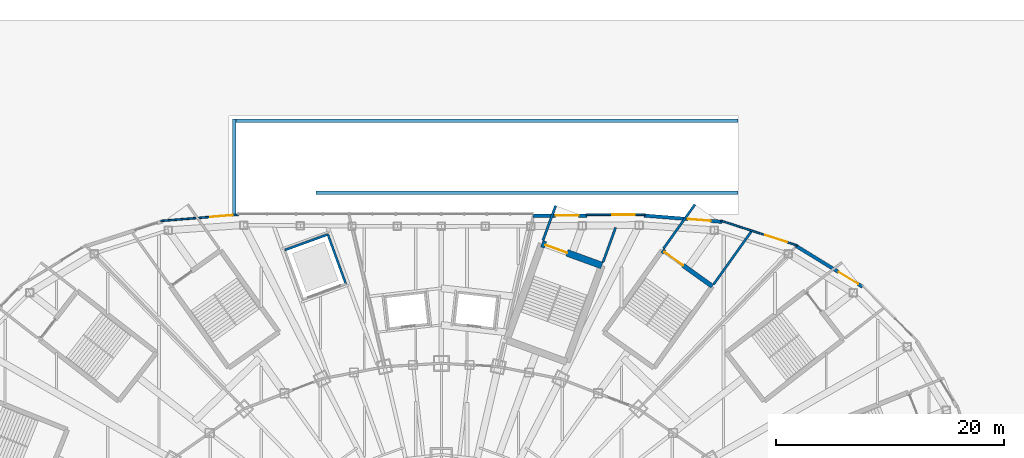
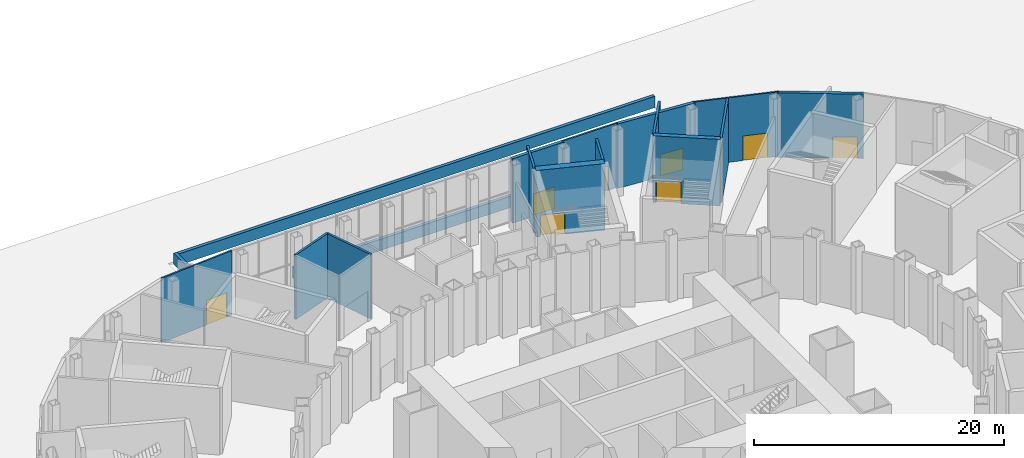
# One storey, part 22 of 47: 17 walls, 8 doors, 8 openings.
"""IFC4 building model written with IfcOpenShell, lengths in metres."""

from ifc_helpers import new_model, si_unit, direction, frame, frame_2d, origin, place, context, subcontext, project, spatial, rectangle, extrude, material, layer, layer_set, type_object, element, fill, save


model = new_model("IFC4")

# Units and contexts
model_context = context("Model", 3, precision=1e-05, world=origin(), true_north=direction((0.0, 1.0)))
body_context = subcontext(model_context, "Body", "Model", "MODEL_VIEW")
ifc_project = project(units=[si_unit("LENGTHUNIT", "METRE"), si_unit("AREAUNIT", "SQUARE_METRE"), si_unit("VOLUMEUNIT", "CUBIC_METRE"), si_unit("PLANEANGLEUNIT", "RADIAN"), si_unit("MASSUNIT", "GRAM", prefix="KILO")], contexts=[model_context])

# Site, building, storey
site_placement = place(None, origin())
site = spatial("IfcSite", under=ifc_project, at=site_placement, CompositionType="ELEMENT")
building_placement = place(site_placement, origin())
building = spatial("IfcBuilding", under=site, at=building_placement, Name="Lantaw Convention Tower", CompositionType="ELEMENT")
storey_placement = place(building_placement, origin())
storey = spatial("IfcBuildingStorey", under=building, at=storey_placement, Name="L00", CompositionType="ELEMENT", Elevation=0.0)

# Walls
ifc_material_1 = material(Name="Concrete blockwork, fire rated", Category="masonry")
ifc_layer_1 = layer(ifc_material_1, 0.199951171875)
ifc_layer_set_1 = layer_set([ifc_layer_1], Name="Exit vestibule wall 200 EI 120")
wall_type_1 = type_object("IfcWallType", Name="Exit vestibule wall 200 EI 120", PredefinedType="SOLIDWALL", material=ifc_layer_set_1)
wall_1_placement = place(storey_placement, frame((23.87353515625, 28.81982421875, 0.0), z_axis=(0.0, 0.0, 1.0), x_axis=(0.580713086154, 0.814108292287, 0.0)))
element("IfcWall", 1, at=wall_1_placement, inside=storey, type_object=wall_type_1, Name="Exit vestibule wall 200", PredefinedType="SOLIDWALL", context=body_context, shape_type="SweptSolid", body=[
    extrude(rectangle(XDim=5.6748046875, YDim=0.199951171875, at=frame_2d((2.83740234375, 0.0))), origin(), (0.0, 0.0, 1.0), 6.300048828125),
])
wall_2_placement = place(storey_placement, frame((19.477294921875, 31.95556640625, 0.0), z_axis=(0.0, 0.0, 1.0), x_axis=(0.580683804281, 0.814129178599, 0.0)))
element("IfcWall", 2, at=wall_2_placement, inside=storey, type_object=wall_type_1, Name="Exit vestibule wall 200", PredefinedType="SOLIDWALL", context=body_context, shape_type="SweptSolid", body=[
    extrude(rectangle(XDim=4.75, YDim=0.199951171875, at=frame_2d((2.375, 0.0))), origin(), (0.0, 0.0, 1.0), 6.300048828125),
])
for number, where, z_axis, x_axis, name in (
    (3, (14.173095703125, 30.75341796875, 0.0), (0.0, 0.0, 1.0), (0.342026533871, 0.939690294793, 0.0), "Exit vestibule wall 200"),
    (4, (8.91064453125, 32.668701171875, 0.0), (0.0, 0.0, 1.0), (0.342026533871, 0.939690294793, 0.0), "Exit vestibule wall 200"),
):
    element("IfcWall", number, at=place(storey_placement, frame(where, z_axis=z_axis, x_axis=x_axis)), inside=storey, type_object=wall_type_1, Name=name, PredefinedType="SOLIDWALL", context=body_context, shape_type="SweptSolid", body=[
        extrude(rectangle(XDim=3.25, YDim=0.199951171875, at=frame_2d((1.625, 0.0))), origin(), (0.0, 0.0, 1.0), 6.300048828125),
    ])

# Wall, opening, door
ifc_material_2 = material(Name="Aluminium framed glazing", Category="aluminium")
ifc_layer_2 = layer(ifc_material_2, 0.14990234375)
ifc_layer_set_2 = layer_set([ifc_layer_2], Name="Glazed entrance screen 150")
wall_type_2 = type_object("IfcWallType", Name="Glazed entrance screen 150", PredefinedType="ELEMENTEDWALL", material=ifc_layer_set_2)
wall_3_placement = place(storey_placement, frame((31.215087890625, 32.22509765625, 0.0), z_axis=(0.0, 0.0, 1.0), x_axis=(-0.951133133407, 0.308781091609, 0.0)))
wall_3 = element("IfcWall", 5, at=wall_3_placement, inside=storey, type_object=wall_type_2, Name="Glazed entrance screen", PredefinedType="ELEMENTEDWALL", context=body_context, shape_type="SweptSolid", body=[
    extrude(rectangle(XDim=7.04150390625, YDim=0.14990234375, at=frame_2d((3.520751953125, 0.0))), origin(), (0.0, 0.0, 1.0), 6.300048828125),
])
opening_1_placement = place(wall_3_placement, frame((0.949951171875, 0.0, 0.0)))
opening_1 = element("IfcOpeningElement", 6, at=opening_1_placement, cuts=wall_3, Name="Opening L00.X06", PredefinedType="OPENING", context=body_context, shape_type="SweptSolid", body=[
    extrude(rectangle(XDim=2.0, YDim=2.39990234375, at=frame_2d((1.0, 1.199951171875))), frame((0.0, 0.0849609375, 0.0), z_axis=(0.0, -1.0, 0.0), x_axis=(1.0, 0.0, 0.0)), (0.0, 0.0, 1.0), 0.169921875),
])
ifc_material_3 = material(Name="Aluminium and glass", Category="aluminium")
door_type_1 = type_object("IfcDoorType", Name="Entrance double door 2000", OperationType="DOUBLE_DOOR_DOUBLE_SWING", PredefinedType="DOOR", material=ifc_material_3)
door_1_placement = place(opening_1_placement, origin())
door_1 = element("IfcDoor", 7, at=door_1_placement, inside=storey, type_object=door_type_1, Name="Entrance", OperationType="DOUBLE_DOOR_DOUBLE_SWING", OverallHeight=2.39990234375, OverallWidth=2.0, PredefinedType="DOOR", context=body_context, shape_type="SweptSolid", body=[
    extrude(rectangle(XDim=2.0, YDim=2.39990234375, at=frame_2d((1.0, 1.199951171875))), frame((0.0, 0.02490234375, 0.0), z_axis=(0.0, -1.0, 0.0), x_axis=(1.0, 0.0, 0.0)), (0.0, 0.0, 1.0), 0.050048828125),
])
fill(opening_1, door_1)

wall_4_placement = place(storey_placement, frame((17.873291015625, 34.925048828125, 0.0), z_axis=(0.0, 0.0, 1.0), x_axis=(-1.0, 0.0, 0.0)))
wall_4 = element("IfcWall", 8, at=wall_4_placement, inside=storey, type_object=wall_type_2, Name="Glazed entrance screen", PredefinedType="ELEMENTEDWALL", context=body_context, shape_type="SweptSolid", body=[
    extrude(rectangle(XDim=5.17431640625, YDim=0.14990234375, at=frame_2d((2.587158203125, 0.0))), origin(), (0.0, 0.0, 1.0), 6.300048828125),
])
opening_2_placement = place(wall_4_placement, frame((0.89990234375, 0.0, 0.0)))
opening_2 = element("IfcOpeningElement", 9, at=opening_2_placement, cuts=wall_4, Name="Opening L00.X08", PredefinedType="OPENING", context=body_context, shape_type="SweptSolid", body=[
    extrude(rectangle(XDim=2.0, YDim=2.39990234375, at=frame_2d((1.0, 1.199951171875))), frame((0.0, 0.0849609375, 0.0), z_axis=(0.0, -1.0, 0.0), x_axis=(1.0, 0.0, 0.0)), (0.0, 0.0, 1.0), 0.169921875),
])
door_2_placement = place(opening_2_placement, origin())
door_2 = element("IfcDoor", 10, at=door_2_placement, inside=storey, type_object=door_type_1, Name="Entrance", OperationType="DOUBLE_DOOR_DOUBLE_SWING", OverallHeight=2.39990234375, OverallWidth=2.0, PredefinedType="DOOR", context=body_context, shape_type="SweptSolid", body=[
    extrude(rectangle(XDim=2.0, YDim=2.39990234375, at=frame_2d((1.0, 1.199951171875))), frame((0.0, 0.02490234375, 0.0), z_axis=(0.0, -1.0, 0.0), x_axis=(1.0, 0.0, 0.0)), (0.0, 0.0, 1.0), 0.050048828125),
])
fill(opening_2, door_2)

wall_5_placement = place(storey_placement, frame((-17.78759765625, 34.928466796875, 0.0), z_axis=(0.0, 0.0, 1.0), x_axis=(-0.996791084449, -0.080047073422, 0.0)))
wall_5 = element("IfcWall", 11, at=wall_5_placement, inside=storey, type_object=wall_type_2, Name="Glazed entrance screen", PredefinedType="ELEMENTEDWALL", context=body_context, shape_type="SweptSolid", body=[
    extrude(rectangle(XDim=6.84716796875, YDim=0.14990234375, at=frame_2d((3.423583984375, 0.0))), origin(), (0.0, 0.0, 1.0), 6.300048828125),
])
opening_3_placement = place(wall_5_placement, frame((0.5, 0.0, 0.0)))
opening_3 = element("IfcOpeningElement", 12, at=opening_3_placement, cuts=wall_5, Name="Opening L00.X16", PredefinedType="OPENING", context=body_context, shape_type="SweptSolid", body=[
    extrude(rectangle(XDim=2.0, YDim=2.39990234375, at=frame_2d((1.0, 1.199951171875))), frame((0.0, 0.0849609375, 0.0), z_axis=(0.0, -1.0, 0.0), x_axis=(1.0, 0.0, 0.0)), (0.0, 0.0, 1.0), 0.169921875),
])
door_3_placement = place(opening_3_placement, origin())
door_3 = element("IfcDoor", 13, at=door_3_placement, inside=storey, type_object=door_type_1, Name="Entrance", OperationType="DOUBLE_DOOR_DOUBLE_SWING", OverallHeight=2.39990234375, OverallWidth=2.0, PredefinedType="DOOR", context=body_context, shape_type="SweptSolid", body=[
    extrude(rectangle(XDim=2.0, YDim=2.39990234375, at=frame_2d((1.0, 1.199951171875))), frame((0.0, 0.02490234375, 0.0), z_axis=(0.0, -1.0, 0.0), x_axis=(1.0, 0.0, 0.0)), (0.0, 0.0, 1.0), 0.050048828125),
])
fill(opening_3, door_3)

# Walls
ifc_layer_3 = layer(ifc_material_1, 0.199951171875)
ifc_layer_set_3 = layer_set([ifc_layer_3], Name="Lift shaft wall 200 EI 120")
wall_type_3 = type_object("IfcWallType", Name="Lift shaft wall 200 EI 120", PredefinedType="SOLIDWALL", material=ifc_layer_set_3)
wall_6_placement = place(storey_placement, frame((-8.381103515625, 28.874755859375, 0.0), z_axis=(0.0, 0.0, 1.0), x_axis=(-0.342045591466, 0.93968335803, 0.0)))
element("IfcWall", 14, at=wall_6_placement, inside=storey, type_object=wall_type_3, Name="Lift shaft wall", PredefinedType="SOLIDWALL", context=body_context, shape_type="SweptSolid", body=[
    extrude(rectangle(XDim=4.600341796875, YDim=0.199951171875, at=frame_2d((2.30029296875, 0.0))), origin(), (0.0, 0.0, 1.0), 6.300048828125),
])
wall_7_placement = place(storey_placement, frame((-9.95458984375, 33.197509765625, 0.0), z_axis=(0.0, 0.0, 1.0), x_axis=(-0.939686455819, -0.342037080957, 0.0)))
element("IfcWall", 15, at=wall_7_placement, inside=storey, type_object=wall_type_3, Name="Lift shaft wall", PredefinedType="SOLIDWALL", context=body_context, shape_type="SweptSolid", body=[
    extrude(rectangle(XDim=4.0, YDim=0.199951171875, at=frame_2d((2.0, 0.0))), origin(), (0.0, 0.0, 1.0), 6.300048828125),
])

# Wall, opening, door
ifc_material_4 = material(Name="Precast concrete panel, pale aluminium rainscreen", Category="concrete")
ifc_layer_4 = layer(ifc_material_4, 0.300048828125)
ifc_layer_set_4 = layer_set([ifc_layer_4], Name="Podium external wall 300")
wall_type_4 = type_object("IfcWallType", Name="Podium external wall 300", PredefinedType="SOLIDWALL", material=ifc_layer_set_4)
wall_8_placement = place(storey_placement, frame((36.931640625, 28.60791015625, 0.0), z_axis=(0.0, 0.0, 1.0), x_axis=(-0.851808565246, 0.52385319334, 0.0)))
wall_8 = element("IfcWall", 16, at=wall_8_placement, inside=storey, type_object=wall_type_4, Name="Podium facade wall", PredefinedType="SOLIDWALL", context=body_context, shape_type="SweptSolid", body=[
    extrude(rectangle(XDim=6.860595703125, YDim=0.300048828125, at=frame_2d((3.43017578125, 0.0))), origin(), (0.0, 0.0, 1.0), 6.300048828125),
])
opening_4_placement = place(wall_8_placement, frame((0.449951171875, 0.0, 0.0)))
opening_4 = element("IfcOpeningElement", 17, at=opening_4_placement, cuts=wall_8, Name="Opening L00.X05", PredefinedType="OPENING", context=body_context, shape_type="SweptSolid", body=[
    extrude(rectangle(XDim=2.0, YDim=2.10009765625, at=frame_2d((1.0, 1.050048828125))), frame((0.0, 0.159912109375, 0.0), z_axis=(0.0, -1.0, 0.0), x_axis=(1.0, 0.0, 0.0)), (0.0, 0.0, 1.0), 0.320068359375),
])
door_type_2 = type_object("IfcDoorType", Name="Exit double door 2000", OperationType="DOUBLE_DOOR_DOUBLE_SWING", PredefinedType="DOOR", material=ifc_material_3)
door_4_placement = place(opening_4_placement, frame((2.0, 0.0, 0.0), z_axis=(0.0, 0.0, 1.0), x_axis=(-1.0, 0.0, 0.0)))
door_4 = element("IfcDoor", 18, at=door_4_placement, inside=storey, type_object=door_type_2, Name="Exit door", OperationType="DOUBLE_DOOR_SINGLE_SWING", OverallHeight=2.10009765625, OverallWidth=2.0, PredefinedType="DOOR", context=body_context, shape_type="SweptSolid", body=[
    extrude(rectangle(XDim=2.0, YDim=2.10009765625, at=frame_2d((1.0, 1.050048828125))), frame((0.0, 0.02490234375, 0.0), z_axis=(0.0, -1.0, 0.0), x_axis=(1.0, 0.0, 0.0)), (0.0, 0.0, 1.0), 0.050048828125),
])
fill(opening_4, door_4)

wall_9_placement = place(storey_placement, frame((24.606689453125, 34.3056640625, 0.0), z_axis=(0.0, 0.0, 1.0), x_axis=(-0.996791084449, 0.080047073422, 0.0)))
wall_9 = element("IfcWall", 19, at=wall_9_placement, inside=storey, type_object=wall_type_4, Name="Podium facade wall", PredefinedType="SOLIDWALL", context=body_context, shape_type="SweptSolid", body=[
    extrude(rectangle(XDim=6.84716796875, YDim=0.300048828125, at=frame_2d((3.423583984375, 0.0))), origin(), (0.0, 0.0, 1.0), 6.300048828125),
])
opening_5_placement = place(wall_9_placement, frame((1.0, 0.0, 0.0)))
opening_5 = element("IfcOpeningElement", 20, at=opening_5_placement, cuts=wall_9, Name="Opening L00.X07", PredefinedType="OPENING", context=body_context, shape_type="SweptSolid", body=[
    extrude(rectangle(XDim=2.0, YDim=2.10009765625, at=frame_2d((1.0, 1.050048828125))), frame((0.0, 0.159912109375, 0.0), z_axis=(0.0, -1.0, 0.0), x_axis=(1.0, 0.0, 0.0)), (0.0, 0.0, 1.0), 0.320068359375),
])
door_5_placement = place(opening_5_placement, origin())
door_5 = element("IfcDoor", 21, at=door_5_placement, inside=storey, type_object=door_type_2, Name="Exit door", OperationType="DOUBLE_DOOR_DOUBLE_SWING", OverallHeight=2.10009765625, OverallWidth=2.0, PredefinedType="DOOR", context=body_context, shape_type="SweptSolid", body=[
    extrude(rectangle(XDim=2.0, YDim=2.10009765625, at=frame_2d((1.0, 1.050048828125))), frame((0.0, 0.02490234375, 0.0), z_axis=(0.0, -1.0, 0.0), x_axis=(1.0, 0.0, 0.0)), (0.0, 0.0, 1.0), 0.050048828125),
])
fill(opening_5, door_5)

wall_10_placement = place(storey_placement, frame((12.779052734375, 34.85009765625, 0.0), z_axis=(0.0, 0.0, 1.0), x_axis=(-1.0, 0.0, 0.0)))
wall_10 = element("IfcWall", 22, at=wall_10_placement, inside=storey, type_object=wall_type_4, Name="Podium facade wall", PredefinedType="SOLIDWALL", context=body_context, shape_type="SweptSolid", body=[
    extrude(rectangle(XDim=4.73876953125, YDim=0.300048828125, at=frame_2d((2.369384765625, 0.0))), origin(), (0.0, 0.0, 1.0), 6.300048828125),
])
opening_6_placement = place(wall_10_placement, frame((0.75, 0.0, 0.0)))
opening_6 = element("IfcOpeningElement", 23, at=opening_6_placement, cuts=wall_10, Name="Opening L00.X09", PredefinedType="OPENING", context=body_context, shape_type="SweptSolid", body=[
    extrude(rectangle(XDim=2.0, YDim=2.10009765625, at=frame_2d((1.0, 1.050048828125))), frame((0.0, 0.159912109375, 0.0), z_axis=(0.0, -1.0, 0.0), x_axis=(1.0, 0.0, 0.0)), (0.0, 0.0, 1.0), 0.320068359375),
])
door_6_placement = place(opening_6_placement, origin())
door_6 = element("IfcDoor", 24, at=door_6_placement, inside=storey, type_object=door_type_2, Name="Exit door", OperationType="DOUBLE_DOOR_DOUBLE_SWING", OverallHeight=2.10009765625, OverallWidth=2.0, PredefinedType="DOOR", context=body_context, shape_type="SweptSolid", body=[
    extrude(rectangle(XDim=2.0, YDim=2.10009765625, at=frame_2d((1.0, 1.050048828125))), frame((0.0, 0.02490234375, 0.0), z_axis=(0.0, -1.0, 0.0), x_axis=(1.0, 0.0, 0.0)), (0.0, 0.0, 1.0), 0.050048828125),
])
fill(opening_6, door_6)

# Walls
ifc_material_5 = material(Name="Concrete C40/50", Category="concrete")
ifc_layer_5 = layer(ifc_material_5, 0.300048828125)
ifc_layer_set_5 = layer_set([ifc_layer_5], Name="Ramp retaining wall 300")
wall_type_5 = type_object("IfcWallType", Name="Ramp retaining wall 300", PredefinedType="SOLIDWALL", material=ifc_layer_set_5)
wall_11_placement = place(storey_placement, frame((-11.0, 36.85009765625, 0.0), z_axis=(0.0, 0.0, 1.0), x_axis=(1.0, 0.0, 0.0)))
element("IfcWall", 25, at=wall_11_placement, inside=storey, type_object=wall_type_5, Name="Ramp guard upstand", PredefinedType="SOLIDWALL", context=body_context, shape_type="SweptSolid", body=[
    extrude(rectangle(XDim=37.0, YDim=0.300048828125, at=frame_2d((18.5, 0.0))), origin(), (0.0, 0.0, 1.0), 1.10009765625),
])
wall_12_placement = place(storey_placement, frame((26.0, 43.14990234375, 0.0), z_axis=(0.0, 0.0, 1.0), x_axis=(-1.0, 0.0, 0.0)))
element("IfcWall", 26, at=wall_12_placement, inside=storey, type_object=wall_type_5, Name="Ramp guard upstand", PredefinedType="SOLIDWALL", context=body_context, shape_type="SweptSolid", body=[
    extrude(rectangle(XDim=44.14990234375, YDim=0.300048828125, at=frame_2d((22.074951171875, 0.0))), origin(), (0.0, 0.0, 1.0), 1.10009765625),
])
wall_13_placement = place(storey_placement, frame((-18.14990234375, 43.300048828125, 0.0), z_axis=(0.0, 0.0, 1.0), x_axis=(0.0, -1.0, 0.0)))
element("IfcWall", 27, at=wall_13_placement, inside=storey, type_object=wall_type_5, Name="Ramp guard upstand", PredefinedType="SOLIDWALL", context=body_context, shape_type="SweptSolid", body=[
    extrude(rectangle(XDim=8.300048828125, YDim=0.300048828125, at=frame_2d((4.14990234375, 0.0))), origin(), (0.0, 0.0, 1.0), 1.10009765625),
])

# Wall, opening, door
ifc_material_6 = material(Name="Concrete C40/50, stair core", Category="concrete")
ifc_layer_6 = layer(ifc_material_6, 0.39990234375)
ifc_layer_set_6 = layer_set([ifc_layer_6], Name="Stair enclosure wall 400 EI 120")
wall_type_6 = type_object("IfcWallType", Name="Stair enclosure wall 400 EI 120", PredefinedType="SHEAR", material=ifc_layer_set_6)
wall_14_placement = place(storey_placement, frame((23.75732421875, 28.656982421875, 0.0), z_axis=(0.0, 0.0, 1.0), x_axis=(-0.814121252423, 0.580694916762, 0.0)))
wall_14 = element("IfcWall", 28, at=wall_14_placement, inside=storey, type_object=wall_type_6, Name="Stair enclosure wall", PredefinedType="SHEAR", context=body_context, shape_type="SweptSolid", body=[
    extrude(rectangle(XDim=5.39990234375, YDim=0.39990234375, at=frame_2d((2.699951171875, 0.0))), origin(), (0.0, 0.0, 1.0), 6.5),
])
opening_7_placement = place(wall_14_placement, frame((3.14990234375, 0.0, 0.0)))
opening_7 = element("IfcOpeningElement", 29, at=opening_7_placement, cuts=wall_14, Name="Opening L00.P4X", PredefinedType="OPENING", context=body_context, shape_type="SweptSolid", body=[
    extrude(rectangle(XDim=2.0, YDim=2.10009765625, at=frame_2d((1.0, 1.050048828125))), frame((0.0, 0.2099609375, 0.0), z_axis=(0.0, -1.0, 0.0), x_axis=(1.0, 0.0, 0.0)), (0.0, 0.0, 1.0), 0.419921875),
])
ifc_material_7 = material(Name="Steel, fire rated", Category="steel")
door_type_3 = type_object("IfcDoorType", Name="Stair discharge double door 2000 FD90", OperationType="DOUBLE_DOOR_DOUBLE_SWING", PredefinedType="DOOR", material=ifc_material_7)
door_7_placement = place(opening_7_placement, origin())
door_7 = element("IfcDoor", 30, at=door_7_placement, inside=storey, type_object=door_type_3, Name="Exit stair discharge door", OperationType="DOUBLE_DOOR_DOUBLE_SWING", OverallHeight=2.10009765625, OverallWidth=2.0, PredefinedType="DOOR", context=body_context, shape_type="SweptSolid", body=[
    extrude(rectangle(XDim=2.0, YDim=2.10009765625, at=frame_2d((1.0, 1.050048828125))), frame((0.0, 0.02490234375, 0.0), z_axis=(0.0, -1.0, 0.0), x_axis=(1.0, 0.0, 0.0)), (0.0, 0.0, 1.0), 0.050048828125),
])
fill(opening_7, door_7)

ifc_layer_7 = layer(ifc_material_6, 0.60009765625)
ifc_layer_set_7 = layer_set([ifc_layer_7], Name="Stair enclosure wall 600 EI 120")
wall_type_7 = type_object("IfcWallType", Name="Stair enclosure wall 600 EI 120", PredefinedType="SHEAR", material=ifc_layer_set_7)
wall_15_placement = place(storey_placement, frame((14.0703125, 30.471435546875, 0.0), z_axis=(0.0, 0.0, 1.0), x_axis=(-0.939692822968, 0.342019587834, 0.0)))
wall_15 = element("IfcWall", 31, at=wall_15_placement, inside=storey, type_object=wall_type_7, Name="Stair enclosure wall", PredefinedType="SHEAR", context=body_context, shape_type="SweptSolid", body=[
    extrude(rectangle(XDim=5.599853515625, YDim=0.60009765625, at=frame_2d((2.7998046875, 0.0))), origin(), (0.0, 0.0, 1.0), 6.5),
])
opening_8_placement = place(wall_15_placement, frame((3.25, 0.0, 0.0)))
opening_8 = element("IfcOpeningElement", 32, at=opening_8_placement, cuts=wall_15, Name="Opening L00.P5X", PredefinedType="OPENING", context=body_context, shape_type="SweptSolid", body=[
    extrude(rectangle(XDim=2.0, YDim=2.10009765625, at=frame_2d((1.0, 1.050048828125))), frame((0.0, 0.31005859375, 0.0), z_axis=(0.0, -1.0, 0.0), x_axis=(1.0, 0.0, 0.0)), (0.0, 0.0, 1.0), 0.6201171875),
])
door_8_placement = place(opening_8_placement, origin())
door_8 = element("IfcDoor", 33, at=door_8_placement, inside=storey, type_object=door_type_3, Name="Exit stair discharge door", OperationType="DOUBLE_DOOR_DOUBLE_SWING", OverallHeight=2.10009765625, OverallWidth=2.0, PredefinedType="DOOR", context=body_context, shape_type="SweptSolid", body=[
    extrude(rectangle(XDim=2.0, YDim=2.10009765625, at=frame_2d((1.0, 1.050048828125))), frame((0.0, 0.02490234375, 0.0), z_axis=(0.0, -1.0, 0.0), x_axis=(1.0, 0.0, 0.0)), (0.0, 0.0, 1.0), 0.050048828125),
])
fill(opening_8, door_8)

save(model, "model.ifc")
